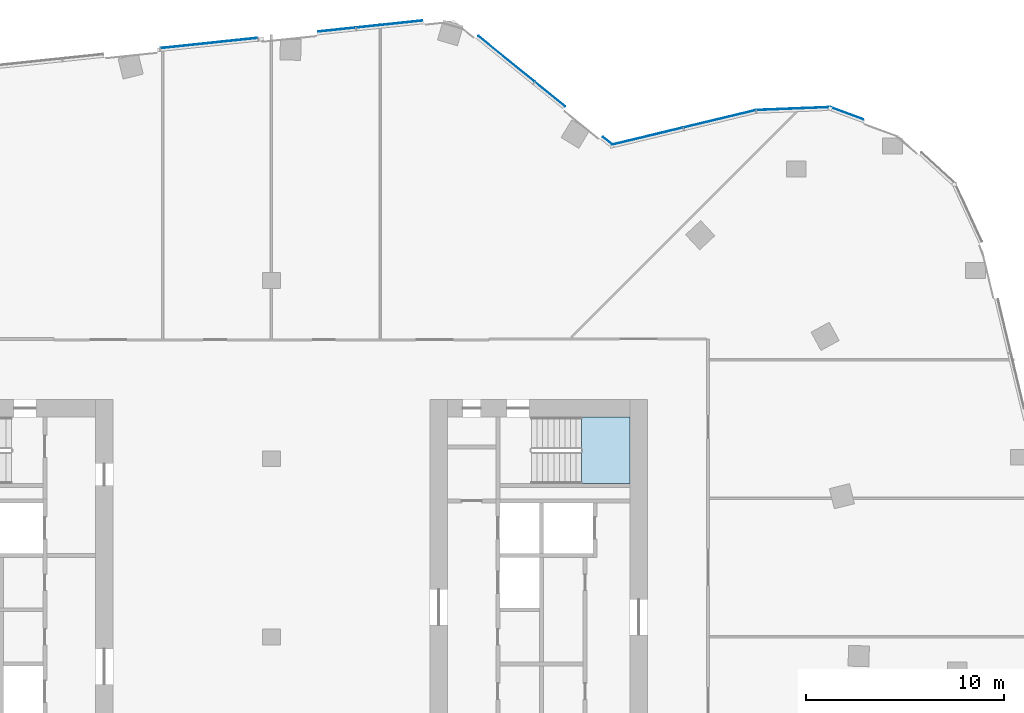
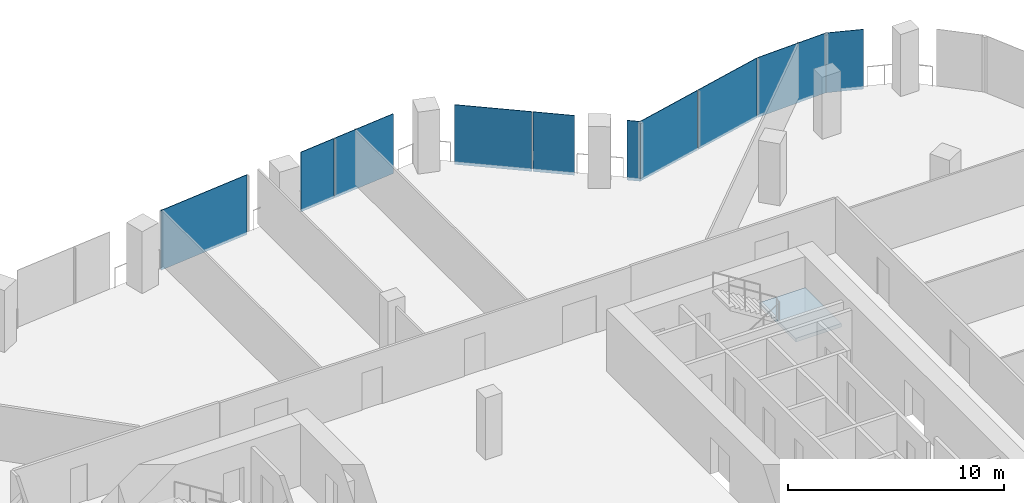
# One storey, part 14 of 24: 10 plates, 1 slab, 6 elements without a shape of their own.
"""IFC4 building model written with IfcOpenShell, lengths in metres."""

from ifc_helpers import new_model, si_unit, direction, frame, origin, origin_2d, place, context, subcontext, project, spatial, polyline, rectangle, outline, extrude, material, layer, layer_set, type_object, element, aggregate, save


model = new_model("IFC4")

# Units and contexts
model_context = context("Model", 3, precision=1e-05, world=origin(), true_north=direction((0.0, 1.0)))
body_context = subcontext(model_context, "Body", "Model", "MODEL_VIEW")
ifc_project = project(units=[si_unit("LENGTHUNIT", "METRE"), si_unit("AREAUNIT", "SQUARE_METRE"), si_unit("VOLUMEUNIT", "CUBIC_METRE"), si_unit("PLANEANGLEUNIT", "RADIAN"), si_unit("MASSUNIT", "GRAM", prefix="KILO")], contexts=[model_context])

# Site, building, storey
site_placement = place(None, origin())
site = spatial("IfcSite", under=ifc_project, at=site_placement, CompositionType="ELEMENT")
building_placement = place(site_placement, origin())
building = spatial("IfcBuilding", under=site, at=building_placement, Name="Orlundy Tower", CompositionType="ELEMENT")
storey_placement = place(building_placement, frame((0.0, 0.0, 210.5)))
storey = spatial("IfcBuildingStorey", under=building, at=storey_placement, Name="L55", CompositionType="ELEMENT", Elevation=210.5)

# Curtain wall, plates
ifc_material_1 = material(Name="Aluminium bronze anodised", Category="aluminium")
curtain_wall_type = type_object("IfcCurtainWallType", Name="CW1 wall", PredefinedType="NOTDEFINED", material=ifc_material_1)
curtain_wall_1_placement = place(storey_placement, origin())
curtain_wall_1 = element("IfcCurtainWall", 1, at=curtain_wall_1_placement, inside=storey, type_object=curtain_wall_type, Name="CW1 run 04", PredefinedType="NOTDEFINED")
ifc_material_2 = material(Name="Tinted glass", Category="glass")
ifc_layer_1 = layer(ifc_material_2, 0.031982421875)
ifc_layer_set_1 = layer_set([ifc_layer_1], Name="CW1 glass panel 32")
plate_type = type_object("IfcPlateType", Name="CW1 glass panel 32", PredefinedType="CURTAIN_PANEL", material=ifc_layer_set_1)
plate_1_placement = place(storey_placement, frame((-3.153076171875, 29.9990234375, -0.280029296875), z_axis=(0.0, 0.0, 1.0), x_axis=(0.994520875843, 0.104538162943, 0.0)))
plate_1 = element("IfcPlate", 2, at=plate_1_placement, type_object=plate_type, Name="CW1 panel", PredefinedType="CURTAIN_PANEL", context=body_context, shape_type="SweptSolid", body=[
    extrude(rectangle(XDim=4.92041015625, YDim=0.031982421875, at=origin_2d()), origin(), (0.0, 0.0, 1.0), 3.3798828125),
])
plate_2_placement = place(storey_placement, frame((3.30078125, 30.677490234375, -0.280029296875), z_axis=(0.0, 0.0, 1.0), x_axis=(0.994520875843, 0.104538162943, 0.0)))
plate_2 = element("IfcPlate", 3, at=plate_2_placement, type_object=plate_type, Name="CW1 panel", PredefinedType="CURTAIN_PANEL", context=body_context, shape_type="SweptSolid", body=[
    extrude(rectangle(XDim=1.88232421875, YDim=0.031982421875, at=origin_2d()), origin(), (0.0, 0.0, 1.0), 3.3798828125),
])
plate_3_placement = place(storey_placement, frame((5.955322265625, 30.95654296875, -0.280029296875), z_axis=(0.0, 0.0, 1.0), x_axis=(0.994520875843, 0.104538162943, 0.0)))
plate_3 = element("IfcPlate", 4, at=plate_3_placement, type_object=plate_type, Name="CW1 panel", PredefinedType="CURTAIN_PANEL", context=body_context, shape_type="SweptSolid", body=[
    extrude(rectangle(XDim=3.355712890625, YDim=0.031982421875, at=origin_2d()), origin(), (0.0, 0.0, 1.0), 3.3798828125),
])
aggregate(curtain_wall_1, [plate_1, plate_2, plate_3])

curtain_wall_2_placement = place(storey_placement, origin())
curtain_wall_2 = element("IfcCurtainWall", 5, at=curtain_wall_2_placement, inside=storey, type_object=curtain_wall_type, Name="CW1 run 05", PredefinedType="NOTDEFINED")
plate_4_placement = place(storey_placement, frame((11.867919921875, 29.203369140625, -0.280029296875), z_axis=(0.0, 0.0, 1.0), x_axis=(0.777128847743, -0.629341524139, 0.0)))
plate_4 = element("IfcPlate", 6, at=plate_4_placement, type_object=plate_type, Name="CW1 panel", PredefinedType="CURTAIN_PANEL", context=body_context, shape_type="SweptSolid", body=[
    extrude(rectangle(XDim=3.643798828125, YDim=0.031982421875, at=origin_2d()), origin(), (0.0, 0.0, 1.0), 3.3798828125),
])
plate_5_placement = place(storey_placement, frame((14.07666015625, 27.41455078125, -0.280029296875), z_axis=(0.0, 0.0, 1.0), x_axis=(0.777128847743, -0.629341524139, 0.0)))
plate_5 = element("IfcPlate", 7, at=plate_5_placement, type_object=plate_type, Name="CW1 panel", PredefinedType="CURTAIN_PANEL", context=body_context, shape_type="SweptSolid", body=[
    extrude(rectangle(XDim=1.940673828125, YDim=0.031982421875, at=origin_2d()), origin(), (0.0, 0.0, 1.0), 3.3798828125),
])
plate_6_placement = place(storey_placement, frame((16.983154296875, 25.060791015625, -0.280029296875), z_axis=(0.0, 0.0, 1.0), x_axis=(0.777128847743, -0.629341524139, 0.0)))
plate_6 = element("IfcPlate", 8, at=plate_6_placement, type_object=plate_type, Name="CW1 panel", PredefinedType="CURTAIN_PANEL", context=body_context, shape_type="SweptSolid", body=[
    extrude(rectangle(XDim=0.60546875, YDim=0.031982421875, at=origin_2d()), origin(), (0.0, 0.0, 1.0), 3.3798828125),
])
aggregate(curtain_wall_2, [plate_4, plate_5, plate_6])

curtain_wall_3_placement = place(storey_placement, origin())
curtain_wall_3 = element("IfcCurtainWall", 9, at=curtain_wall_3_placement, inside=storey, type_object=curtain_wall_type, Name="CW1 run 06", PredefinedType="NOTDEFINED")
plate_7_placement = place(storey_placement, frame((18.997802734375, 25.2978515625, -0.280029296875), z_axis=(0.0, 0.0, 1.0), x_axis=(0.972349931339, 0.233528608579, 0.0)))
plate_7 = element("IfcPlate", 10, at=plate_7_placement, type_object=plate_type, Name="CW1 panel", PredefinedType="CURTAIN_PANEL", context=body_context, shape_type="SweptSolid", body=[
    extrude(rectangle(XDim=3.66015625, YDim=0.031982421875, at=origin_2d()), origin(), (0.0, 0.0, 1.0), 3.3798828125),
])
plate_8_placement = place(storey_placement, frame((22.640625, 26.172607421875, -0.280029296875), z_axis=(0.0, 0.0, 1.0), x_axis=(0.972349931339, 0.233528608579, 0.0)))
plate_8 = element("IfcPlate", 11, at=plate_8_placement, type_object=plate_type, Name="CW1 panel", PredefinedType="CURTAIN_PANEL", context=body_context, shape_type="SweptSolid", body=[
    extrude(rectangle(XDim=3.732177734375, YDim=0.031982421875, at=origin_2d()), origin(), (0.0, 0.0, 1.0), 3.3798828125),
])
aggregate(curtain_wall_3, [plate_7, plate_8])

# Curtain wall, plate
curtain_wall_4_placement = place(storey_placement, origin())
curtain_wall_4 = element("IfcCurtainWall", 12, at=curtain_wall_4_placement, inside=storey, type_object=curtain_wall_type, Name="CW1 run 07", PredefinedType="NOTDEFINED")
plate_9_placement = place(storey_placement, frame((26.368408203125, 26.688232421875, -0.280029296875), z_axis=(0.0, 0.0, 1.0), x_axis=(0.999234640913, 0.039116906831, 0.0)))
plate_9 = element("IfcPlate", 13, at=plate_9_placement, type_object=plate_type, Name="CW1 panel", PredefinedType="CURTAIN_PANEL", context=body_context, shape_type="SweptSolid", body=[
    extrude(rectangle(XDim=3.73046875, YDim=0.031982421875, at=origin_2d()), origin(), (0.0, 0.0, 1.0), 3.3798828125),
])
aggregate(curtain_wall_4, [plate_9])

curtain_wall_5_placement = place(storey_placement, origin())
curtain_wall_5 = element("IfcCurtainWall", 14, at=curtain_wall_5_placement, inside=storey, type_object=curtain_wall_type, Name="CW1 run 08", PredefinedType="NOTDEFINED")
plate_10_placement = place(storey_placement, frame((29.06396484375, 26.454345703125, -0.280029296875), z_axis=(0.0, 0.0, 1.0), x_axis=(0.938200265188, -0.346092852283, 0.0)))
plate_10 = element("IfcPlate", 15, at=plate_10_placement, type_object=plate_type, Name="CW1 panel", PredefinedType="CURTAIN_PANEL", context=body_context, shape_type="SweptSolid", body=[
    extrude(rectangle(XDim=1.773193359375, YDim=0.031982421875, at=origin_2d()), origin(), (0.0, 0.0, 1.0), 3.3798828125),
])
aggregate(curtain_wall_5, [plate_10])

# Stair, slab
ifc_material_3 = material(Name="Concrete C50/60", Category="concrete")
stair_type = type_object("IfcStairType", Name="Exit Stair 20 risers", PredefinedType="HALF_TURN_STAIR", material=ifc_material_3)
stair_placement = place(storey_placement, origin())
stair = element("IfcStair", 16, at=stair_placement, inside=storey, type_object=stair_type, Name="L55 Exit Stair ST-E2", PredefinedType="HALF_TURN_STAIR")
ifc_material_4 = material(Name="Concrete C50/60", Category="concrete")
ifc_layer_2 = layer(ifc_material_4, 0.199951171875)
ifc_layer_set_2 = layer_set([ifc_layer_2], Name="Exit Stair Landing")
slab_type = type_object("IfcSlabType", Name="Exit Stair Landing", PredefinedType="LANDING", material=ifc_layer_set_2)
slab_placement = place(storey_placement, frame((0.0, 0.0, 1.550048828125)))
slab = element("IfcSlab", 17, at=slab_placement, type_object=slab_type, Name="ST-E2 landing 1", PredefinedType="LANDING", context=body_context, shape_type="SweptSolid", body=[
    extrude(outline(polyline([(15.659912109375, 7.75), (18.10009765625, 7.75), (18.10009765625, 11.10009765625), (15.659912109375, 11.10009765625), (15.659912109375, 7.75)])), origin(), (0.0, 0.0, 1.0), 0.199951171875),
])
aggregate(stair, [slab])

save(model, "model.ifc")
